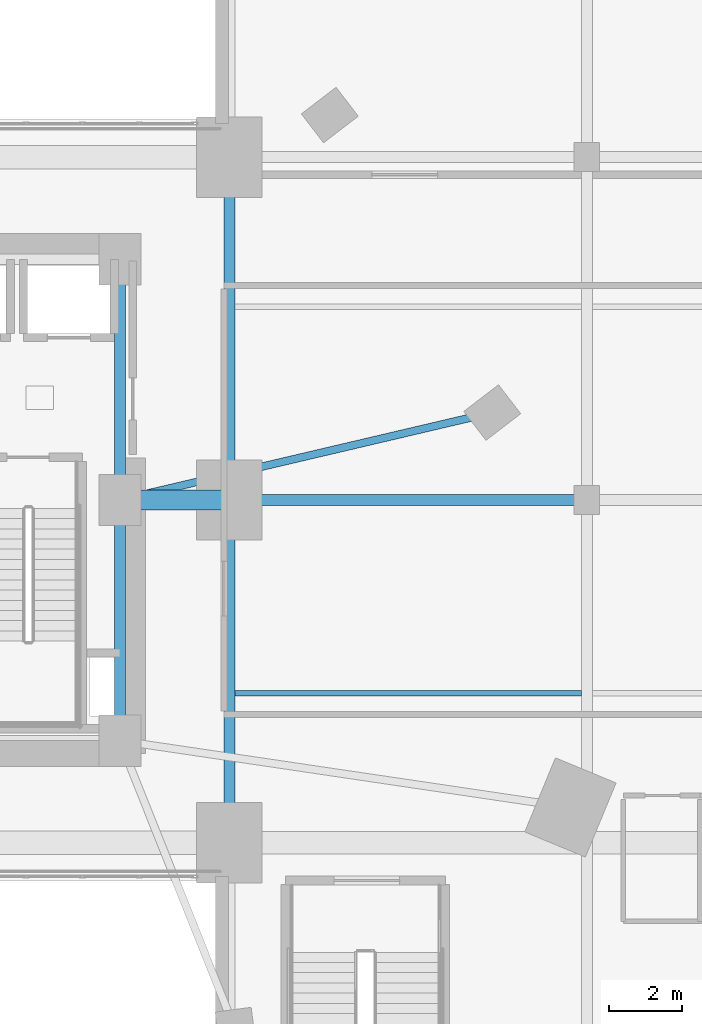
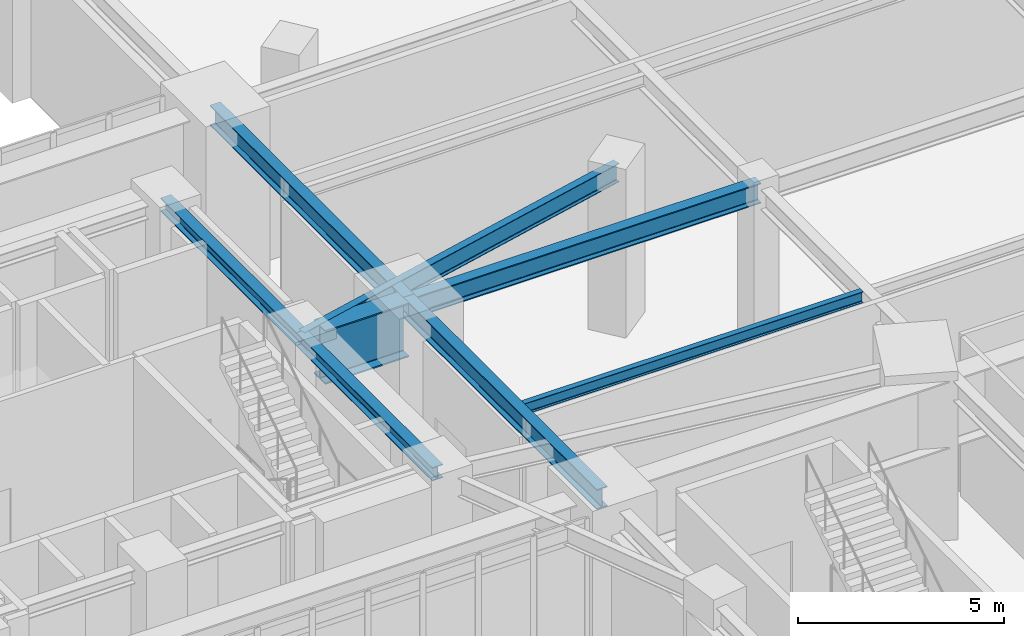
# One storey, part 13 of 26: 8 beams.
"""IFC4 building model written with IfcOpenShell, lengths in metres."""

from ifc_helpers import new_model, si_unit, direction, frame, origin, origin_2d, place, context, subcontext, project, spatial, i_section, extrude, material, material_profile, profile_set, type_object, element, save


model = new_model("IFC4")

# Units and contexts
model_context = context("Model", 3, precision=1e-05, world=origin(), true_north=direction((0.0, 1.0)))
body_context = subcontext(model_context, "Body", "Model", "MODEL_VIEW")
ifc_project = project(units=[si_unit("LENGTHUNIT", "METRE"), si_unit("AREAUNIT", "SQUARE_METRE"), si_unit("VOLUMEUNIT", "CUBIC_METRE"), si_unit("PLANEANGLEUNIT", "RADIAN"), si_unit("MASSUNIT", "GRAM", prefix="KILO")], contexts=[model_context])

# Site, building, storey
site_placement = place(None, origin())
site = spatial("IfcSite", under=ifc_project, at=site_placement, CompositionType="ELEMENT")
building_placement = place(site_placement, origin())
building = spatial("IfcBuilding", under=site, at=building_placement, Name="Ndelora Gate Hotel", CompositionType="ELEMENT")
storey_placement = place(building_placement, frame((0.0, 0.0, 6.0)))
storey = spatial("IfcBuildingStorey", under=building, at=storey_placement, Name="L01", CompositionType="ELEMENT", Elevation=6.0)

# Beams
ifc_material_1 = material(Name="Steel S355", Category="steel")
ifc_material_profile_1 = material_profile(ifc_material_1, i_section(OverallWidth=0.300048828125, OverallDepth=0.39990234375, WebThickness=0.013427734375, FlangeThickness=0.02392578125, FilletRadius=0.027099609375, at=origin_2d()), Name="HEB 400")
ifc_profile_set_1 = profile_set([ifc_material_profile_1], Name="Steel S355")
beam_type_1 = type_object("IfcBeamType", Name="BM-CORE-400", PredefinedType="BEAM", material=ifc_profile_set_1)
for number, where, z_axis, x_axis, name in (
    (1, (8.0, -6.60009765625, 4.52001953125), (0.0, 1.0, 0.0), (-1.0, 0.0, 0.0), "L01 Core Tie Girder CC3-CC4"),
    (2, (8.0, 0.0, 4.52001953125), (0.0, 1.0, 0.0), (-1.0, 0.0, 0.0), "L01 Core Tie Girder CC4-CC5"),
):
    element("IfcBeam", number, at=place(storey_placement, frame(where, z_axis=z_axis, x_axis=x_axis)), inside=storey, type_object=beam_type_1, Name=name, PredefinedType="BEAM", context=body_context, shape_type="SweptSolid", body=[
        extrude(i_section(OverallWidth=0.300048828125, OverallDepth=0.39990234375, WebThickness=0.013427734375, FlangeThickness=0.02392578125, FilletRadius=0.027099609375, at=origin_2d()), origin(), (0.0, 0.0, 1.0), 6.60009765625),
    ])
ifc_material_profile_2 = material_profile(ifc_material_1, i_section(OverallWidth=0.159912109375, OverallDepth=0.330078125, WebThickness=0.007568359375, FlangeThickness=0.011474609375, FilletRadius=0.01806640625, at=origin_2d()), Name="IPE 330")
ifc_profile_set_2 = profile_set([ifc_material_profile_2], Name="Steel S355")
beam_type_2 = type_object("IfcBeamType", Name="BM-JST-330", PredefinedType="JOIST", material=ifc_profile_set_2)
beam_1_placement = place(storey_placement, frame((11.14990234375, -5.300048828125, 4.554931640625), z_axis=(1.0, 0.0, 0.0), x_axis=(0.0, 1.0, 0.0)))
element("IfcBeam", 3, at=beam_1_placement, inside=storey, type_object=beam_type_2, Name="L01 Podium Composite Secondary Joist 5", PredefinedType="JOIST", context=body_context, shape_type="SweptSolid", body=[
    extrude(i_section(OverallWidth=0.159912109375, OverallDepth=0.330078125, WebThickness=0.007568359375, FlangeThickness=0.011474609375, FilletRadius=0.01806640625, at=origin_2d()), origin(), (0.0, 0.0, 1.0), 9.5),
])
ifc_material_profile_3 = material_profile(ifc_material_1, i_section(OverallWidth=0.300048828125, OverallDepth=0.60009765625, WebThickness=0.015380859375, FlangeThickness=0.030029296875, FilletRadius=0.027099609375, at=origin_2d()), Name="HEB 600")
ifc_profile_set_3 = profile_set([ifc_material_profile_3], Name="Steel S355")
beam_type_3 = type_object("IfcBeamType", Name="BM-POD-600", PredefinedType="BEAM", material=ifc_profile_set_3)
for number, where, z_axis, x_axis, name in (
    (4, (11.0, -9.39990234375, 4.419921875), (0.0, 1.0, 0.0), (-1.0, 0.0, 0.0), "L01 Podium Longitudinal Girder X=+11.0"),
    (5, (11.0, 0.0, 4.419921875), (0.0, 1.0, 0.0), (-1.0, 0.0, 0.0), "L01 Podium Longitudinal Girder X=+11.0"),
):
    element("IfcBeam", number, at=place(storey_placement, frame(where, z_axis=z_axis, x_axis=x_axis)), inside=storey, type_object=beam_type_3, Name=name, PredefinedType="BEAM", context=body_context, shape_type="SweptSolid", body=[
        extrude(i_section(OverallWidth=0.300048828125, OverallDepth=0.60009765625, WebThickness=0.015380859375, FlangeThickness=0.030029296875, FilletRadius=0.027099609375, at=origin_2d()), origin(), (0.0, 0.0, 1.0), 9.39990234375),
    ])
beam_2_placement = place(storey_placement, frame((11.0, 0.0, 4.419921875), z_axis=(1.0, 0.0, 0.0), x_axis=(0.0, 1.0, 0.0)))
element("IfcBeam", 6, at=beam_2_placement, inside=storey, type_object=beam_type_3, Name="L01 Podium Transverse Girder Y=+0.0", PredefinedType="BEAM", context=body_context, shape_type="SweptSolid", body=[
    extrude(i_section(OverallWidth=0.300048828125, OverallDepth=0.60009765625, WebThickness=0.015380859375, FlangeThickness=0.030029296875, FilletRadius=0.027099609375, at=origin_2d()), origin(), (0.0, 0.0, 1.0), 9.800048828125),
])
ifc_material_profile_4 = material_profile(ifc_material_1, i_section(OverallWidth=0.2099609375, OverallDepth=0.550048828125, WebThickness=0.010986328125, FlangeThickness=0.01708984375, FilletRadius=0.02392578125, at=origin_2d()), Name="IPE 550")
ifc_profile_set_4 = profile_set([ifc_material_profile_4], Name="Steel S355")
beam_type_4 = type_object("IfcBeamType", Name="BM-RAD-550", PredefinedType="BEAM", material=ifc_profile_set_4)
beam_3_placement = place(storey_placement, frame((8.0, 0.0, 4.445068359375), z_axis=(0.973517848051, 0.22861102232, 0.0), x_axis=(-0.22861102232, 0.973517848051, 0.0)))
element("IfcBeam", 7, at=beam_3_placement, inside=storey, type_object=beam_type_4, Name="L01 Tower Root Radial Tie Beam 10", PredefinedType="BEAM", context=body_context, shape_type="SweptSolid", body=[
    extrude(i_section(OverallWidth=0.2099609375, OverallDepth=0.550048828125, WebThickness=0.010986328125, FlangeThickness=0.01708984375, FilletRadius=0.02392578125, at=origin_2d()), origin(), (0.0, 0.0, 1.0), 10.48486328125),
])
ifc_material_2 = material(Name="Steel S460", Category="steel")
ifc_material_profile_5 = material_profile(ifc_material_2, i_section(OverallWidth=0.550048828125, OverallDepth=1.60009765625, WebThickness=0.02587890625, FlangeThickness=0.0380859375, FilletRadius=0.02392578125, at=origin_2d()), Name="PG 1600x550x38")
ifc_profile_set_5 = profile_set([ifc_material_profile_5], Name="Steel S460")
beam_type_5 = type_object("IfcBeamType", Name="BM-TR-1600", PredefinedType="BEAM", material=ifc_profile_set_5)
beam_4_placement = place(storey_placement, frame((8.5, 0.0, 3.919921875), z_axis=(1.0, 0.0, 0.0), x_axis=(0.0, 1.0, 0.0)))
element("IfcBeam", 8, at=beam_4_placement, inside=storey, type_object=beam_type_5, Name="L01 structural beam TG-2", PredefinedType="BEAM", context=body_context, shape_type="SweptSolid", body=[
    extrude(i_section(OverallWidth=0.550048828125, OverallDepth=1.60009765625, WebThickness=0.02587890625, FlangeThickness=0.0380859375, FilletRadius=0.02392578125, at=origin_2d()), origin(), (0.0, 0.0, 1.0), 2.35009765625),
])

save(model, "model.ifc")
